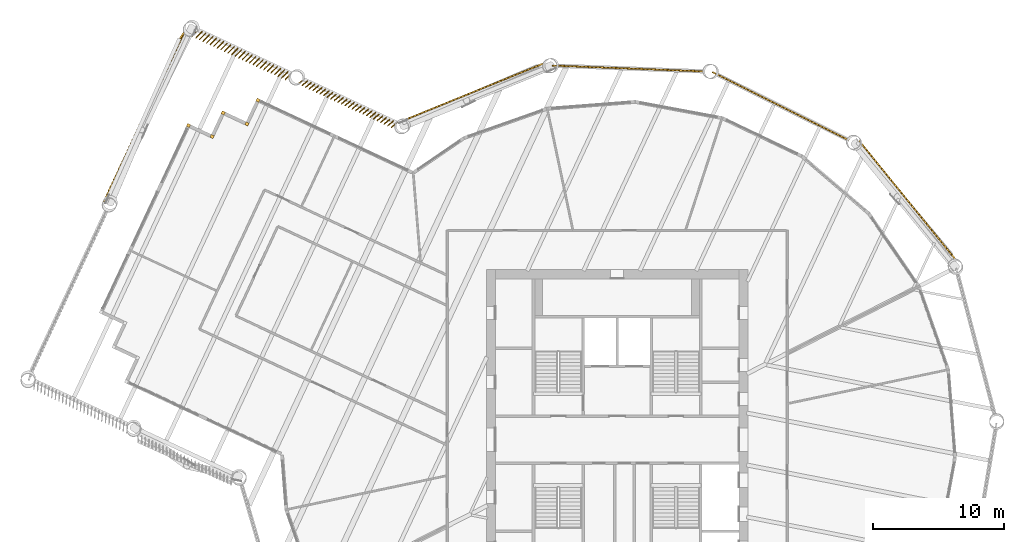
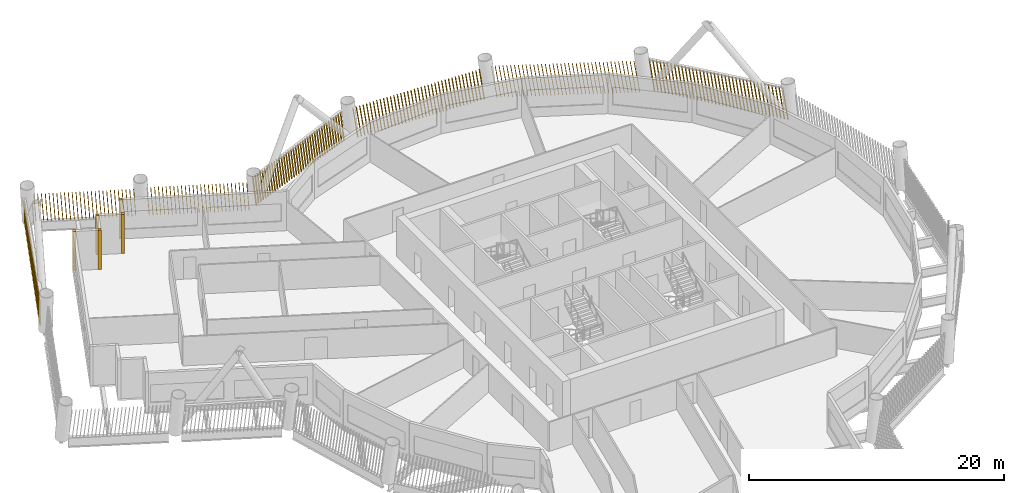
# One storey, part 23 of 24: 12 shading devices.
"""IFC4 building model written with IfcOpenShell, lengths in metres."""

import ifcopenshell
import ifcopenshell.guid

model = None  # the IFC model being written
_history = None  # IfcOwnerHistory: only IFC2X3 demands one
_inside = {}  # id of a spatial element -> (the spatial element, [elements in it])
_under = {}  # id of a project, library or spatial element -> (it, [spatial elements below it])
_declared = {}  # id of a project -> (the project, [libraries it declares])
_typed = {}  # id of a type object -> (the type object, [elements of that type])
_made_of = {}  # id of a material, layer set ... -> (it, [elements and type objects made of it])


def new_model(schema):
    """Start an empty IFC model of exactly this schema.

    Asked for "IFC4X3", IfcOpenShell would pick the latest addendum, in which some entities
    have other attributes; the version numbers below select the first issue.
    IFC2X3 requires an IfcOwnerHistory on every rooted entity: one is made here for all.
    """
    global model, _history
    if schema == "IFC4X3":
        model = ifcopenshell.file(schema_version=(4, 3, 0, 0))
    else:
        model = ifcopenshell.file(schema=schema)
    _inside.clear()
    _under.clear()
    _declared.clear()
    _typed.clear()
    _made_of.clear()
    _history = None
    if model.schema == "IFC2X3":
        org = make("IfcOrganization", Name="unknown")
        user = make(
            "IfcPersonAndOrganization",
            ThePerson=make("IfcPerson", FamilyName="unknown"),
            TheOrganization=org,
        )
        app = make(
            "IfcApplication",
            ApplicationDeveloper=org,
            Version="unknown",
            ApplicationFullName="unknown",
            ApplicationIdentifier="unknown",
        )
        _history = make(
            "IfcOwnerHistory",
            OwningUser=user,
            OwningApplication=app,
            ChangeAction="ADDED",
            CreationDate=0,
        )
    return model


def make(cls, **values):
    """One entity of the class cls with the attributes given. An attribute that is None is left unset."""
    return model.create_entity(
        cls, **{name: value for name, value in values.items() if value is not None}
    )


def rooted(cls, **values):
    """An entity with a GlobalId (a new one), such as an element, a storey or a relation."""
    return make(cls, GlobalId=ifcopenshell.guid.new(), OwnerHistory=_history, **values)


def si_unit(unit_type, name, prefix=None):
    """IfcSIUnit, for example si_unit("LENGTHUNIT", "METRE", prefix="MILLI")."""
    return make("IfcSIUnit", UnitType=unit_type, Prefix=prefix, Name=name)


def assignment(units):
    """IfcUnitAssignment: the units of a project."""
    return None if units is None else make("IfcUnitAssignment", Units=units)


def point(xyz):
    """IfcCartesianPoint."""
    return None if xyz is None else make("IfcCartesianPoint", Coordinates=xyz)


def direction(xyz):
    """IfcDirection."""
    return None if xyz is None else make("IfcDirection", DirectionRatios=xyz)


def frame(location, z_axis=None, x_axis=None):
    """IfcAxis2Placement3D, a coordinate frame: its origin and axes. An axis left out is left unset."""
    return make(
        "IfcAxis2Placement3D",
        Location=point(location),
        Axis=direction(z_axis),
        RefDirection=direction(x_axis),
    )


def frame_2d(location, x_axis=None):
    """IfcAxis2Placement2D, a coordinate frame in the plane: its origin and x axis."""
    return make(
        "IfcAxis2Placement2D", Location=point(location), RefDirection=direction(x_axis)
    )


def origin():
    """The frame at (0, 0, 0) with its axes left unset."""
    return frame((0.0, 0.0, 0.0))


def origin_2d():
    """The frame at (0, 0) in the plane with its x axis left unset."""
    return frame_2d((0.0, 0.0))


def place(relative_to, where):
    """IfcLocalPlacement: puts the frame where relative to a parent placement (None: the world)."""
    return make(
        "IfcLocalPlacement", PlacementRelTo=relative_to, RelativePlacement=where
    )


def context(
    kind, dimensions, precision=None, world=None, true_north=None, identifier=None
):
    """IfcGeometricRepresentationContext, for example the 3D "Model" context."""
    return make(
        "IfcGeometricRepresentationContext",
        ContextIdentifier=identifier,
        ContextType=kind,
        CoordinateSpaceDimension=dimensions,
        Precision=precision,
        WorldCoordinateSystem=world,
        TrueNorth=true_north,
    )


def subcontext(parent, identifier, kind, view, scale=None):
    """IfcGeometricRepresentationSubContext, for example "Body" below "Model"."""
    return make(
        "IfcGeometricRepresentationSubContext",
        ContextIdentifier=identifier,
        ContextType=kind,
        ParentContext=parent,
        TargetScale=scale,
        TargetView=view,
    )


def project(units=None, contexts=None):
    """IfcProject with its units and contexts."""
    return rooted(
        "IfcProject",
        Name="project",
        RepresentationContexts=contexts,
        UnitsInContext=assignment(units),
    )


def spatial(cls, under=None, at=None, **own):
    """A site, building, storey or space (cls), placed at a placement, below another one or the project."""
    s = rooted(cls, ObjectPlacement=at, **own)
    if under is not None:
        _under.setdefault(under.id(), (under, []))[1].append(s)
    return s


def profile(cls, at=None, kind="AREA", **sizes):
    """A parametric profile (cls). Its sizes go by their IFC names, for example OverallWidth=200.0."""
    return make(cls, ProfileType=kind, Position=at, **sizes)


def rectangle(**sizes):
    """IfcRectangleProfileDef."""
    return profile("IfcRectangleProfileDef", **sizes)


def composite_profile(profiles, kind="AREA"):
    """IfcCompositeProfileDef: several profiles as one."""
    return make("IfcCompositeProfileDef", ProfileType=kind, Profiles=profiles)


def extrude(swept, where, along, depth):
    """IfcExtrudedAreaSolid: the profile swept, set in the frame where, extruded along a direction by depth."""
    return make(
        "IfcExtrudedAreaSolid",
        SweptArea=swept,
        Position=where,
        ExtrudedDirection=direction(along),
        Depth=depth,
    )


def shape(context_of_items, identifier, shape_type, items):
    """IfcShapeRepresentation: the items that make up one representation, for example the "Body"."""
    return make(
        "IfcShapeRepresentation",
        ContextOfItems=context_of_items,
        RepresentationIdentifier=identifier,
        RepresentationType=shape_type,
        Items=items,
    )


def material(Name=None, Category=None):
    """IfcMaterial."""
    return make("IfcMaterial", Name=Name, Category=Category)


def made_of(thing, what):
    """Note that an element or type object is made of a material, layer set ...; save() writes the relation."""
    if what is not None:
        _made_of.setdefault(what.id(), (what, []))[1].append(thing)
    return thing


def type_object(cls, material=None, **own):
    """A type object (cls), such as IfcWallType, which elements share."""
    return made_of(rooted(cls, **own), material)


def element(
    cls,
    number,
    at=None,
    inside=None,
    cuts=None,
    type_object=None,
    material=None,
    context=None,
    identifier="Body",
    shape_type=None,
    held_by="IfcProductDefinitionShape",
    body=None,
    shapes=None,
    **own,
):
    """One element of the class cls, such as IfcWall. Its Tag is "e" and its number.

    at: its placement. inside: the storey or other place that contains it. cuts: it is an
    opening in that element (IfcRelVoidsElement). A single representation is given by context,
    identifier, shape_type and body (its items); several are given by shapes. held_by: the class
    of the entity that holds the representations. save() writes the other relations.
    """
    e = rooted(cls, Tag="e%d" % number, ObjectPlacement=at, **own)
    if body is not None:
        shapes = [shape(context, identifier, shape_type, body)]
    if shapes is not None:
        e.Representation = make(held_by, Representations=shapes)
    if inside is not None:
        _inside.setdefault(inside.id(), (inside, []))[1].append(e)
    if cuts is not None:
        rooted(
            "IfcRelVoidsElement", RelatingBuildingElement=cuts, RelatedOpeningElement=e
        )
    if type_object is not None:
        _typed.setdefault(type_object.id(), (type_object, []))[1].append(e)
    return made_of(e, material)


def aggregate(whole, parts):
    """IfcRelAggregates: a whole, such as a stair, and the parts it consists of."""
    return rooted("IfcRelAggregates", RelatingObject=whole, RelatedObjects=parts)


def save(model, path):
    """Write the relations noted so far, then the file.

    IfcRelAggregates (storeys below a building ...), IfcRelContainedInSpatialStructure (elements
    in a storey), IfcRelDefinesByType, IfcRelAssociatesMaterial and IfcRelDeclares: one each for
    every whole, place, type object, material and project.
    """
    for whole, parts in _under.values():
        aggregate(whole, parts)
    for where, things in _inside.values():
        rooted(
            "IfcRelContainedInSpatialStructure",
            RelatedElements=things,
            RelatingStructure=where,
        )
    for kind, things in _typed.values():
        rooted("IfcRelDefinesByType", RelatedObjects=things, RelatingType=kind)
    for what, things in _made_of.values():
        rooted("IfcRelAssociatesMaterial", RelatedObjects=things, RelatingMaterial=what)
    for by, libraries in _declared.values():
        rooted("IfcRelDeclares", RelatingContext=by, RelatedDefinitions=libraries)
    model.write(path)


model = new_model("IFC4")

# Units and contexts
model_context = context("Model", 3, precision=1e-05, world=origin(), true_north=direction((0.0, 1.0)))
body_context = subcontext(model_context, "Body", "Model", "MODEL_VIEW")
ifc_project = project(units=[si_unit("LENGTHUNIT", "METRE"), si_unit("AREAUNIT", "SQUARE_METRE"), si_unit("VOLUMEUNIT", "CUBIC_METRE"), si_unit("PLANEANGLEUNIT", "RADIAN"), si_unit("MASSUNIT", "GRAM", prefix="KILO")], contexts=[model_context])

# Site, building, storey
site_placement = place(None, origin())
site = spatial("IfcSite", under=ifc_project, at=site_placement, CompositionType="ELEMENT")
building_placement = place(site_placement, origin())
building = spatial("IfcBuilding", under=site, at=building_placement, Name="Tarsis Ring Headquarters", CompositionType="ELEMENT")
storey_placement = place(building_placement, frame((0.0, 0.0, 178.800048828125)))
storey = spatial("IfcBuildingStorey", under=building, at=storey_placement, Name="L41", CompositionType="ELEMENT", Elevation=178.800048828125)

# Shading devices
ifc_material = material(Name="Terracotta baguette", Category="masonry")
shading_device_type_1 = type_object("IfcShadingDeviceType", Name="Terracotta baguette screen", PredefinedType="USERDEFINED", material=ifc_material)
shading_device_1_placement = place(storey_placement, frame((25.871826171875, 13.78515625, 0.0), z_axis=(0.0, 0.0, 1.0), x_axis=(-0.630827328761, 0.775913707787, 0.0)))
element("IfcShadingDevice", 1, at=shading_device_1_placement, inside=storey, type_object=shading_device_type_1, Name="Baguette screen L41-11", ObjectType="Terracotta baguette screen", PredefinedType="USERDEFINED", context=body_context, shape_type="SweptSolid", body=[
    extrude(composite_profile([rectangle(XDim=0.06005859375, YDim=0.1201171875, at=frame_2d((0.030029296875, 0.0))), rectangle(XDim=0.06005859375, YDim=0.1201171875, at=frame_2d((0.33251953125, 0.0))), rectangle(XDim=0.06005859375, YDim=0.1201171875, at=frame_2d((0.634765625, 0.0))), rectangle(XDim=0.06005859375, YDim=0.1201171875, at=frame_2d((0.937255859375, 0.0))), rectangle(XDim=0.06005859375, YDim=0.1201171875, at=frame_2d((1.239501953125, 0.0))), rectangle(XDim=0.06005859375, YDim=0.1201171875, at=frame_2d((1.5419921875, 0.0))), rectangle(XDim=0.06005859375, YDim=0.1201171875, at=frame_2d((1.844482421875, 0.0))), rectangle(XDim=0.06005859375, YDim=0.1201171875, at=frame_2d((2.146728515625, 0.0))), rectangle(XDim=0.06005859375, YDim=0.1201171875, at=frame_2d((2.44921875, 0.0))), rectangle(XDim=0.06005859375, YDim=0.1201171875, at=frame_2d((2.751708984375, 0.0))), rectangle(XDim=0.06005859375, YDim=0.1201171875, at=frame_2d((3.053955078125, 0.0))), rectangle(XDim=0.06005859375, YDim=0.1201171875, at=frame_2d((3.3564453125, 0.0))), rectangle(XDim=0.06005859375, YDim=0.1201171875, at=frame_2d((3.65869140625, 0.0))), rectangle(XDim=0.06005859375, YDim=0.1201171875, at=frame_2d((3.961181640625, 0.0))), rectangle(XDim=0.06005859375, YDim=0.1201171875, at=frame_2d((4.263671875, 0.0))), rectangle(XDim=0.06005859375, YDim=0.1201171875, at=frame_2d((4.56591796875, 0.0))), rectangle(XDim=0.06005859375, YDim=0.1201171875, at=frame_2d((4.868408203125, 0.0))), rectangle(XDim=0.06005859375, YDim=0.1201171875, at=frame_2d((5.1708984375, 0.0))), rectangle(XDim=0.06005859375, YDim=0.1201171875, at=frame_2d((5.47314453125, 0.0))), rectangle(XDim=0.06005859375, YDim=0.1201171875, at=frame_2d((5.775634765625, 0.0))), rectangle(XDim=0.06005859375, YDim=0.1201171875, at=frame_2d((6.077880859375, 0.0))), rectangle(XDim=0.06005859375, YDim=0.1201171875, at=frame_2d((6.38037109375, 0.0))), rectangle(XDim=0.06005859375, YDim=0.1201171875, at=frame_2d((6.682861328125, 0.0))), rectangle(XDim=0.06005859375, YDim=0.1201171875, at=frame_2d((6.985107421875, 0.0))), rectangle(XDim=0.06005859375, YDim=0.1201171875, at=frame_2d((7.28759765625, 0.0))), rectangle(XDim=0.06005859375, YDim=0.1201171875, at=frame_2d((7.590087890625, 0.0))), rectangle(XDim=0.06005859375, YDim=0.1201171875, at=frame_2d((7.892333984375, 0.0))), rectangle(XDim=0.06005859375, YDim=0.1201171875, at=frame_2d((8.19482421875, 0.0))), rectangle(XDim=0.06005859375, YDim=0.1201171875, at=frame_2d((8.4970703125, 0.0))), rectangle(XDim=0.06005859375, YDim=0.1201171875, at=frame_2d((8.799560546875, 0.0))), rectangle(XDim=0.06005859375, YDim=0.1201171875, at=frame_2d((9.10205078125, 0.0))), rectangle(XDim=0.06005859375, YDim=0.1201171875, at=frame_2d((9.404296875, 0.0))), rectangle(XDim=0.06005859375, YDim=0.1201171875, at=frame_2d((9.706787109375, 0.0))), rectangle(XDim=0.06005859375, YDim=0.1201171875, at=frame_2d((10.00927734375, 0.0))), rectangle(XDim=0.06005859375, YDim=0.1201171875, at=frame_2d((10.3115234375, 0.0))), rectangle(XDim=0.06005859375, YDim=0.1201171875, at=frame_2d((10.614013671875, 0.0))), rectangle(XDim=0.06005859375, YDim=0.1201171875, at=frame_2d((10.916259765625, 0.0))), rectangle(XDim=0.06005859375, YDim=0.1201171875, at=frame_2d((11.21875, 0.0)))]), origin(), (0.151424036468, 0.001188388079, 0.988468183056), 2.984375),
])
shading_device_2_placement = place(storey_placement, frame((17.721923828125, 22.88818359375, 0.0), z_axis=(0.0, 0.0, 1.0), x_axis=(-0.894563212154, 0.446923494303, 0.0)))
element("IfcShadingDevice", 2, at=shading_device_2_placement, inside=storey, type_object=shading_device_type_1, Name="Baguette screen L41-12", ObjectType="Terracotta baguette screen", PredefinedType="USERDEFINED", context=body_context, shape_type="SweptSolid", body=[
    extrude(composite_profile([rectangle(XDim=0.06005859375, YDim=0.1201171875, at=frame_2d((0.030029296875, 0.0))), rectangle(XDim=0.06005859375, YDim=0.1201171875, at=frame_2d((0.33251953125, 0.0))), rectangle(XDim=0.06005859375, YDim=0.1201171875, at=frame_2d((0.634765625, 0.0))), rectangle(XDim=0.06005859375, YDim=0.1201171875, at=frame_2d((0.937255859375, 0.0))), rectangle(XDim=0.06005859375, YDim=0.1201171875, at=frame_2d((1.239501953125, 0.0))), rectangle(XDim=0.06005859375, YDim=0.1201171875, at=frame_2d((1.5419921875, 0.0))), rectangle(XDim=0.06005859375, YDim=0.1201171875, at=frame_2d((1.844482421875, 0.0))), rectangle(XDim=0.06005859375, YDim=0.1201171875, at=frame_2d((2.146728515625, 0.0))), rectangle(XDim=0.06005859375, YDim=0.1201171875, at=frame_2d((2.44921875, 0.0))), rectangle(XDim=0.06005859375, YDim=0.1201171875, at=frame_2d((2.751708984375, 0.0))), rectangle(XDim=0.06005859375, YDim=0.1201171875, at=frame_2d((3.053955078125, 0.0))), rectangle(XDim=0.06005859375, YDim=0.1201171875, at=frame_2d((3.3564453125, 0.0))), rectangle(XDim=0.06005859375, YDim=0.1201171875, at=frame_2d((3.65869140625, 0.0))), rectangle(XDim=0.06005859375, YDim=0.1201171875, at=frame_2d((3.961181640625, 0.0))), rectangle(XDim=0.06005859375, YDim=0.1201171875, at=frame_2d((4.263671875, 0.0))), rectangle(XDim=0.06005859375, YDim=0.1201171875, at=frame_2d((4.56591796875, 0.0))), rectangle(XDim=0.06005859375, YDim=0.1201171875, at=frame_2d((4.868408203125, 0.0))), rectangle(XDim=0.06005859375, YDim=0.1201171875, at=frame_2d((5.1708984375, 0.0))), rectangle(XDim=0.06005859375, YDim=0.1201171875, at=frame_2d((5.47314453125, 0.0))), rectangle(XDim=0.06005859375, YDim=0.1201171875, at=frame_2d((5.775634765625, 0.0))), rectangle(XDim=0.06005859375, YDim=0.1201171875, at=frame_2d((6.077880859375, 0.0))), rectangle(XDim=0.06005859375, YDim=0.1201171875, at=frame_2d((6.38037109375, 0.0))), rectangle(XDim=0.06005859375, YDim=0.1201171875, at=frame_2d((6.682861328125, 0.0))), rectangle(XDim=0.06005859375, YDim=0.1201171875, at=frame_2d((6.985107421875, 0.0))), rectangle(XDim=0.06005859375, YDim=0.1201171875, at=frame_2d((7.28759765625, 0.0))), rectangle(XDim=0.06005859375, YDim=0.1201171875, at=frame_2d((7.590087890625, 0.0))), rectangle(XDim=0.06005859375, YDim=0.1201171875, at=frame_2d((7.892333984375, 0.0))), rectangle(XDim=0.06005859375, YDim=0.1201171875, at=frame_2d((8.19482421875, 0.0))), rectangle(XDim=0.06005859375, YDim=0.1201171875, at=frame_2d((8.4970703125, 0.0))), rectangle(XDim=0.06005859375, YDim=0.1201171875, at=frame_2d((8.799560546875, 0.0))), rectangle(XDim=0.06005859375, YDim=0.1201171875, at=frame_2d((9.10205078125, 0.0))), rectangle(XDim=0.06005859375, YDim=0.1201171875, at=frame_2d((9.404296875, 0.0))), rectangle(XDim=0.06005859375, YDim=0.1201171875, at=frame_2d((9.706787109375, 0.0))), rectangle(XDim=0.06005859375, YDim=0.1201171875, at=frame_2d((10.00927734375, 0.0))), rectangle(XDim=0.06005859375, YDim=0.1201171875, at=frame_2d((10.3115234375, 0.0))), rectangle(XDim=0.06005859375, YDim=0.1201171875, at=frame_2d((10.614013671875, 0.0))), rectangle(XDim=0.06005859375, YDim=0.1201171875, at=frame_2d((10.916259765625, 0.0))), rectangle(XDim=0.06005859375, YDim=0.1201171875, at=frame_2d((11.21875, 0.0)))]), origin(), (0.149494835504, 0.001175262387, 0.988761807978), 2.9833984375),
])
shading_device_3_placement = place(storey_placement, frame((6.712158203125, 28.158203125, 0.0), z_axis=(0.0, 0.0, 1.0), x_axis=(-0.999262072708, 0.038459034183, 0.0)))
element("IfcShadingDevice", 3, at=shading_device_3_placement, inside=storey, type_object=shading_device_type_1, Name="Baguette screen L41-13", ObjectType="Terracotta baguette screen", PredefinedType="USERDEFINED", context=body_context, shape_type="SweptSolid", body=[
    extrude(composite_profile([rectangle(XDim=0.06005859375, YDim=0.1201171875, at=frame_2d((0.030029296875, 0.0))), rectangle(XDim=0.06005859375, YDim=0.1201171875, at=frame_2d((0.33251953125, 0.0))), rectangle(XDim=0.06005859375, YDim=0.1201171875, at=frame_2d((0.634765625, 0.0))), rectangle(XDim=0.06005859375, YDim=0.1201171875, at=frame_2d((0.937255859375, 0.0))), rectangle(XDim=0.06005859375, YDim=0.1201171875, at=frame_2d((1.239501953125, 0.0))), rectangle(XDim=0.06005859375, YDim=0.1201171875, at=frame_2d((1.5419921875, 0.0))), rectangle(XDim=0.06005859375, YDim=0.1201171875, at=frame_2d((1.844482421875, 0.0))), rectangle(XDim=0.06005859375, YDim=0.1201171875, at=frame_2d((2.146728515625, 0.0))), rectangle(XDim=0.06005859375, YDim=0.1201171875, at=frame_2d((2.44921875, 0.0))), rectangle(XDim=0.06005859375, YDim=0.1201171875, at=frame_2d((2.751708984375, 0.0))), rectangle(XDim=0.06005859375, YDim=0.1201171875, at=frame_2d((3.053955078125, 0.0))), rectangle(XDim=0.06005859375, YDim=0.1201171875, at=frame_2d((3.3564453125, 0.0))), rectangle(XDim=0.06005859375, YDim=0.1201171875, at=frame_2d((3.65869140625, 0.0))), rectangle(XDim=0.06005859375, YDim=0.1201171875, at=frame_2d((3.961181640625, 0.0))), rectangle(XDim=0.06005859375, YDim=0.1201171875, at=frame_2d((4.263671875, 0.0))), rectangle(XDim=0.06005859375, YDim=0.1201171875, at=frame_2d((4.56591796875, 0.0))), rectangle(XDim=0.06005859375, YDim=0.1201171875, at=frame_2d((4.868408203125, 0.0))), rectangle(XDim=0.06005859375, YDim=0.1201171875, at=frame_2d((5.1708984375, 0.0))), rectangle(XDim=0.06005859375, YDim=0.1201171875, at=frame_2d((5.47314453125, 0.0))), rectangle(XDim=0.06005859375, YDim=0.1201171875, at=frame_2d((5.775634765625, 0.0))), rectangle(XDim=0.06005859375, YDim=0.1201171875, at=frame_2d((6.077880859375, 0.0))), rectangle(XDim=0.06005859375, YDim=0.1201171875, at=frame_2d((6.38037109375, 0.0))), rectangle(XDim=0.06005859375, YDim=0.1201171875, at=frame_2d((6.682861328125, 0.0))), rectangle(XDim=0.06005859375, YDim=0.1201171875, at=frame_2d((6.985107421875, 0.0))), rectangle(XDim=0.06005859375, YDim=0.1201171875, at=frame_2d((7.28759765625, 0.0))), rectangle(XDim=0.06005859375, YDim=0.1201171875, at=frame_2d((7.590087890625, 0.0))), rectangle(XDim=0.06005859375, YDim=0.1201171875, at=frame_2d((7.892333984375, 0.0))), rectangle(XDim=0.06005859375, YDim=0.1201171875, at=frame_2d((8.19482421875, 0.0))), rectangle(XDim=0.06005859375, YDim=0.1201171875, at=frame_2d((8.4970703125, 0.0))), rectangle(XDim=0.06005859375, YDim=0.1201171875, at=frame_2d((8.799560546875, 0.0))), rectangle(XDim=0.06005859375, YDim=0.1201171875, at=frame_2d((9.10205078125, 0.0))), rectangle(XDim=0.06005859375, YDim=0.1201171875, at=frame_2d((9.404296875, 0.0))), rectangle(XDim=0.06005859375, YDim=0.1201171875, at=frame_2d((9.706787109375, 0.0))), rectangle(XDim=0.06005859375, YDim=0.1201171875, at=frame_2d((10.00927734375, 0.0))), rectangle(XDim=0.06005859375, YDim=0.1201171875, at=frame_2d((10.3115234375, 0.0))), rectangle(XDim=0.06005859375, YDim=0.1201171875, at=frame_2d((10.614013671875, 0.0))), rectangle(XDim=0.06005859375, YDim=0.1201171875, at=frame_2d((10.916259765625, 0.0))), rectangle(XDim=0.06005859375, YDim=0.1201171875, at=frame_2d((11.21875, 0.0)))]), origin(), (0.149496183952, 0.001175135704, 0.98876160425), 2.9833984375),
])
shading_device_4_placement = place(storey_placement, frame((-5.63232421875, 28.76904296875, 0.0), z_axis=(0.0, 0.0, 1.0), x_axis=(-0.926273982117, -0.376855629829, 0.0)))
element("IfcShadingDevice", 4, at=shading_device_4_placement, inside=storey, type_object=shading_device_type_1, Name="Baguette screen L41-14", ObjectType="Terracotta baguette screen", PredefinedType="USERDEFINED", context=body_context, shape_type="SweptSolid", body=[
    extrude(composite_profile([rectangle(XDim=0.06005859375, YDim=0.1201171875, at=frame_2d((0.030029296875, 0.0))), rectangle(XDim=0.06005859375, YDim=0.1201171875, at=frame_2d((0.33251953125, 0.0))), rectangle(XDim=0.06005859375, YDim=0.1201171875, at=frame_2d((0.634765625, 0.0))), rectangle(XDim=0.06005859375, YDim=0.1201171875, at=frame_2d((0.937255859375, 0.0))), rectangle(XDim=0.06005859375, YDim=0.1201171875, at=frame_2d((1.239501953125, 0.0))), rectangle(XDim=0.06005859375, YDim=0.1201171875, at=frame_2d((1.5419921875, 0.0))), rectangle(XDim=0.06005859375, YDim=0.1201171875, at=frame_2d((1.844482421875, 0.0))), rectangle(XDim=0.06005859375, YDim=0.1201171875, at=frame_2d((2.146728515625, 0.0))), rectangle(XDim=0.06005859375, YDim=0.1201171875, at=frame_2d((2.44921875, 0.0))), rectangle(XDim=0.06005859375, YDim=0.1201171875, at=frame_2d((2.751708984375, 0.0))), rectangle(XDim=0.06005859375, YDim=0.1201171875, at=frame_2d((3.053955078125, 0.0))), rectangle(XDim=0.06005859375, YDim=0.1201171875, at=frame_2d((3.3564453125, 0.0))), rectangle(XDim=0.06005859375, YDim=0.1201171875, at=frame_2d((3.65869140625, 0.0))), rectangle(XDim=0.06005859375, YDim=0.1201171875, at=frame_2d((3.961181640625, 0.0))), rectangle(XDim=0.06005859375, YDim=0.1201171875, at=frame_2d((4.263671875, 0.0))), rectangle(XDim=0.06005859375, YDim=0.1201171875, at=frame_2d((4.56591796875, 0.0))), rectangle(XDim=0.06005859375, YDim=0.1201171875, at=frame_2d((4.868408203125, 0.0))), rectangle(XDim=0.06005859375, YDim=0.1201171875, at=frame_2d((5.1708984375, 0.0))), rectangle(XDim=0.06005859375, YDim=0.1201171875, at=frame_2d((5.47314453125, 0.0))), rectangle(XDim=0.06005859375, YDim=0.1201171875, at=frame_2d((5.775634765625, 0.0))), rectangle(XDim=0.06005859375, YDim=0.1201171875, at=frame_2d((6.077880859375, 0.0))), rectangle(XDim=0.06005859375, YDim=0.1201171875, at=frame_2d((6.38037109375, 0.0))), rectangle(XDim=0.06005859375, YDim=0.1201171875, at=frame_2d((6.682861328125, 0.0))), rectangle(XDim=0.06005859375, YDim=0.1201171875, at=frame_2d((6.985107421875, 0.0))), rectangle(XDim=0.06005859375, YDim=0.1201171875, at=frame_2d((7.28759765625, 0.0))), rectangle(XDim=0.06005859375, YDim=0.1201171875, at=frame_2d((7.590087890625, 0.0))), rectangle(XDim=0.06005859375, YDim=0.1201171875, at=frame_2d((7.892333984375, 0.0))), rectangle(XDim=0.06005859375, YDim=0.1201171875, at=frame_2d((8.19482421875, 0.0))), rectangle(XDim=0.06005859375, YDim=0.1201171875, at=frame_2d((8.4970703125, 0.0))), rectangle(XDim=0.06005859375, YDim=0.1201171875, at=frame_2d((8.799560546875, 0.0))), rectangle(XDim=0.06005859375, YDim=0.1201171875, at=frame_2d((9.10205078125, 0.0))), rectangle(XDim=0.06005859375, YDim=0.1201171875, at=frame_2d((9.404296875, 0.0))), rectangle(XDim=0.06005859375, YDim=0.1201171875, at=frame_2d((9.706787109375, 0.0))), rectangle(XDim=0.06005859375, YDim=0.1201171875, at=frame_2d((10.00927734375, 0.0))), rectangle(XDim=0.06005859375, YDim=0.1201171875, at=frame_2d((10.3115234375, 0.0))), rectangle(XDim=0.06005859375, YDim=0.1201171875, at=frame_2d((10.614013671875, 0.0))), rectangle(XDim=0.06005859375, YDim=0.1201171875, at=frame_2d((10.916259765625, 0.0))), rectangle(XDim=0.06005859375, YDim=0.1201171875, at=frame_2d((11.21875, 0.0)))]), origin(), (0.15142570473, 0.001188654564, 0.988467927172), 2.984375),
])
shading_device_5_placement = place(storey_placement, frame((-16.82666015625, 24.205810546875, 0.0), z_axis=(0.0, 0.0, 1.0), x_axis=(-0.905863816115, 0.423566485418, 0.0)))
element("IfcShadingDevice", 5, at=shading_device_5_placement, inside=storey, type_object=shading_device_type_1, Name="Baguette screen L41-15", ObjectType="Terracotta baguette screen", PredefinedType="USERDEFINED", context=body_context, shape_type="SweptSolid", body=[
    extrude(composite_profile([rectangle(XDim=0.06005859375, YDim=0.1201171875, at=frame_2d((0.030029296875, 0.0))), rectangle(XDim=0.06005859375, YDim=0.1201171875, at=frame_2d((0.33154296875, 0.0))), rectangle(XDim=0.06005859375, YDim=0.1201171875, at=frame_2d((0.63330078125, 0.0))), rectangle(XDim=0.06005859375, YDim=0.1201171875, at=frame_2d((0.934814453125, 0.0))), rectangle(XDim=0.06005859375, YDim=0.1201171875, at=frame_2d((1.236572265625, 0.0))), rectangle(XDim=0.06005859375, YDim=0.1201171875, at=frame_2d((1.5380859375, 0.0))), rectangle(XDim=0.06005859375, YDim=0.1201171875, at=frame_2d((1.83984375, 0.0))), rectangle(XDim=0.06005859375, YDim=0.1201171875, at=frame_2d((2.141357421875, 0.0))), rectangle(XDim=0.06005859375, YDim=0.1201171875, at=frame_2d((2.443115234375, 0.0))), rectangle(XDim=0.06005859375, YDim=0.1201171875, at=frame_2d((2.74462890625, 0.0))), rectangle(XDim=0.06005859375, YDim=0.1201171875, at=frame_2d((3.04638671875, 0.0))), rectangle(XDim=0.06005859375, YDim=0.1201171875, at=frame_2d((3.347900390625, 0.0))), rectangle(XDim=0.06005859375, YDim=0.1201171875, at=frame_2d((3.649658203125, 0.0))), rectangle(XDim=0.06005859375, YDim=0.1201171875, at=frame_2d((3.951171875, 0.0))), rectangle(XDim=0.06005859375, YDim=0.1201171875, at=frame_2d((4.252685546875, 0.0))), rectangle(XDim=0.06005859375, YDim=0.1201171875, at=frame_2d((4.554443359375, 0.0))), rectangle(XDim=0.06005859375, YDim=0.1201171875, at=frame_2d((4.85595703125, 0.0))), rectangle(XDim=0.06005859375, YDim=0.1201171875, at=frame_2d((5.15771484375, 0.0))), rectangle(XDim=0.06005859375, YDim=0.1201171875, at=frame_2d((5.459228515625, 0.0))), rectangle(XDim=0.06005859375, YDim=0.1201171875, at=frame_2d((5.760986328125, 0.0))), rectangle(XDim=0.06005859375, YDim=0.1201171875, at=frame_2d((6.0625, 0.0))), rectangle(XDim=0.06005859375, YDim=0.1201171875, at=frame_2d((6.3642578125, 0.0))), rectangle(XDim=0.06005859375, YDim=0.1201171875, at=frame_2d((6.665771484375, 0.0))), rectangle(XDim=0.06005859375, YDim=0.1201171875, at=frame_2d((6.967529296875, 0.0))), rectangle(XDim=0.06005859375, YDim=0.1201171875, at=frame_2d((7.26904296875, 0.0))), rectangle(XDim=0.06005859375, YDim=0.1201171875, at=frame_2d((7.57080078125, 0.0))), rectangle(XDim=0.06005859375, YDim=0.1201171875, at=frame_2d((7.872314453125, 0.0)))]), origin(), (0.076405112136, 0.155041137251, 0.984948985785), 2.9951171875),
])
shading_device_6_placement = place(storey_placement, frame((-24.890869140625, 27.9765625, 0.0), z_axis=(0.0, 0.0, 1.0), x_axis=(-0.905863816115, 0.423566485418, 0.0)))
element("IfcShadingDevice", 6, at=shading_device_6_placement, inside=storey, type_object=shading_device_type_1, Name="Baguette screen L41-16", ObjectType="Terracotta baguette screen", PredefinedType="USERDEFINED", context=body_context, shape_type="SweptSolid", body=[
    extrude(composite_profile([rectangle(XDim=0.06005859375, YDim=0.1201171875, at=frame_2d((0.030029296875, 0.0))), rectangle(XDim=0.06005859375, YDim=0.1201171875, at=frame_2d((0.33154296875, 0.0))), rectangle(XDim=0.06005859375, YDim=0.1201171875, at=frame_2d((0.63330078125, 0.0))), rectangle(XDim=0.06005859375, YDim=0.1201171875, at=frame_2d((0.934814453125, 0.0))), rectangle(XDim=0.06005859375, YDim=0.1201171875, at=frame_2d((1.236572265625, 0.0))), rectangle(XDim=0.06005859375, YDim=0.1201171875, at=frame_2d((1.5380859375, 0.0))), rectangle(XDim=0.06005859375, YDim=0.1201171875, at=frame_2d((1.83984375, 0.0))), rectangle(XDim=0.06005859375, YDim=0.1201171875, at=frame_2d((2.141357421875, 0.0))), rectangle(XDim=0.06005859375, YDim=0.1201171875, at=frame_2d((2.443115234375, 0.0))), rectangle(XDim=0.06005859375, YDim=0.1201171875, at=frame_2d((2.74462890625, 0.0))), rectangle(XDim=0.06005859375, YDim=0.1201171875, at=frame_2d((3.04638671875, 0.0))), rectangle(XDim=0.06005859375, YDim=0.1201171875, at=frame_2d((3.347900390625, 0.0))), rectangle(XDim=0.06005859375, YDim=0.1201171875, at=frame_2d((3.649658203125, 0.0))), rectangle(XDim=0.06005859375, YDim=0.1201171875, at=frame_2d((3.951171875, 0.0))), rectangle(XDim=0.06005859375, YDim=0.1201171875, at=frame_2d((4.252685546875, 0.0))), rectangle(XDim=0.06005859375, YDim=0.1201171875, at=frame_2d((4.554443359375, 0.0))), rectangle(XDim=0.06005859375, YDim=0.1201171875, at=frame_2d((4.85595703125, 0.0))), rectangle(XDim=0.06005859375, YDim=0.1201171875, at=frame_2d((5.15771484375, 0.0))), rectangle(XDim=0.06005859375, YDim=0.1201171875, at=frame_2d((5.459228515625, 0.0))), rectangle(XDim=0.06005859375, YDim=0.1201171875, at=frame_2d((5.760986328125, 0.0))), rectangle(XDim=0.06005859375, YDim=0.1201171875, at=frame_2d((6.0625, 0.0))), rectangle(XDim=0.06005859375, YDim=0.1201171875, at=frame_2d((6.3642578125, 0.0))), rectangle(XDim=0.06005859375, YDim=0.1201171875, at=frame_2d((6.665771484375, 0.0))), rectangle(XDim=0.06005859375, YDim=0.1201171875, at=frame_2d((6.967529296875, 0.0))), rectangle(XDim=0.06005859375, YDim=0.1201171875, at=frame_2d((7.26904296875, 0.0))), rectangle(XDim=0.06005859375, YDim=0.1201171875, at=frame_2d((7.57080078125, 0.0))), rectangle(XDim=0.06005859375, YDim=0.1201171875, at=frame_2d((7.872314453125, 0.0)))]), origin(), (0.075415067856, 0.200074866843, 0.976873899333), 3.019775390625),
])
shading_device_7_placement = place(storey_placement, frame((-33.0537109375, 31.241455078125, 0.0), z_axis=(0.0, 0.0, 1.0), x_axis=(-0.423564794339, -0.905864661654, 0.0)))
element("IfcShadingDevice", 7, at=shading_device_7_placement, inside=storey, type_object=shading_device_type_1, Name="Baguette screen L41-17", ObjectType="Terracotta baguette screen", PredefinedType="USERDEFINED", context=body_context, shape_type="SweptSolid", body=[
    extrude(composite_profile([rectangle(XDim=0.06005859375, YDim=0.1201171875, at=frame_2d((0.030029296875, 0.0))), rectangle(XDim=0.06005859375, YDim=0.1201171875, at=frame_2d((0.33544921875, 0.0))), rectangle(XDim=0.06005859375, YDim=0.1201171875, at=frame_2d((0.640625, 0.0))), rectangle(XDim=0.06005859375, YDim=0.1201171875, at=frame_2d((0.946044921875, 0.0))), rectangle(XDim=0.06005859375, YDim=0.1201171875, at=frame_2d((1.25146484375, 0.0))), rectangle(XDim=0.06005859375, YDim=0.1201171875, at=frame_2d((1.556640625, 0.0))), rectangle(XDim=0.06005859375, YDim=0.1201171875, at=frame_2d((1.862060546875, 0.0))), rectangle(XDim=0.06005859375, YDim=0.1201171875, at=frame_2d((2.16748046875, 0.0))), rectangle(XDim=0.06005859375, YDim=0.1201171875, at=frame_2d((2.47265625, 0.0))), rectangle(XDim=0.06005859375, YDim=0.1201171875, at=frame_2d((2.778076171875, 0.0))), rectangle(XDim=0.06005859375, YDim=0.1201171875, at=frame_2d((3.08349609375, 0.0))), rectangle(XDim=0.06005859375, YDim=0.1201171875, at=frame_2d((3.388671875, 0.0))), rectangle(XDim=0.06005859375, YDim=0.1201171875, at=frame_2d((3.694091796875, 0.0))), rectangle(XDim=0.06005859375, YDim=0.1201171875, at=frame_2d((3.99951171875, 0.0))), rectangle(XDim=0.06005859375, YDim=0.1201171875, at=frame_2d((4.3046875, 0.0))), rectangle(XDim=0.06005859375, YDim=0.1201171875, at=frame_2d((4.610107421875, 0.0))), rectangle(XDim=0.06005859375, YDim=0.1201171875, at=frame_2d((4.91552734375, 0.0))), rectangle(XDim=0.06005859375, YDim=0.1201171875, at=frame_2d((5.220703125, 0.0))), rectangle(XDim=0.06005859375, YDim=0.1201171875, at=frame_2d((5.526123046875, 0.0))), rectangle(XDim=0.06005859375, YDim=0.1201171875, at=frame_2d((5.83154296875, 0.0))), rectangle(XDim=0.06005859375, YDim=0.1201171875, at=frame_2d((6.13671875, 0.0))), rectangle(XDim=0.06005859375, YDim=0.1201171875, at=frame_2d((6.442138671875, 0.0))), rectangle(XDim=0.06005859375, YDim=0.1201171875, at=frame_2d((6.74755859375, 0.0))), rectangle(XDim=0.06005859375, YDim=0.1201171875, at=frame_2d((7.052734375, 0.0))), rectangle(XDim=0.06005859375, YDim=0.1201171875, at=frame_2d((7.358154296875, 0.0))), rectangle(XDim=0.06005859375, YDim=0.1201171875, at=frame_2d((7.66357421875, 0.0))), rectangle(XDim=0.06005859375, YDim=0.1201171875, at=frame_2d((7.96875, 0.0))), rectangle(XDim=0.06005859375, YDim=0.1201171875, at=frame_2d((8.274169921875, 0.0))), rectangle(XDim=0.06005859375, YDim=0.1201171875, at=frame_2d((8.57958984375, 0.0))), rectangle(XDim=0.06005859375, YDim=0.1201171875, at=frame_2d((8.884765625, 0.0))), rectangle(XDim=0.06005859375, YDim=0.1201171875, at=frame_2d((9.190185546875, 0.0))), rectangle(XDim=0.06005859375, YDim=0.1201171875, at=frame_2d((9.49560546875, 0.0))), rectangle(XDim=0.06005859375, YDim=0.1201171875, at=frame_2d((9.80078125, 0.0))), rectangle(XDim=0.06005859375, YDim=0.1201171875, at=frame_2d((10.106201171875, 0.0))), rectangle(XDim=0.06005859375, YDim=0.1201171875, at=frame_2d((10.41162109375, 0.0))), rectangle(XDim=0.06005859375, YDim=0.1201171875, at=frame_2d((10.716796875, 0.0))), rectangle(XDim=0.06005859375, YDim=0.1201171875, at=frame_2d((11.022216796875, 0.0))), rectangle(XDim=0.06005859375, YDim=0.1201171875, at=frame_2d((11.32763671875, 0.0))), rectangle(XDim=0.06005859375, YDim=0.1201171875, at=frame_2d((11.6328125, 0.0))), rectangle(XDim=0.06005859375, YDim=0.1201171875, at=frame_2d((11.938232421875, 0.0))), rectangle(XDim=0.06005859375, YDim=0.1201171875, at=frame_2d((12.24365234375, 0.0))), rectangle(XDim=0.06005859375, YDim=0.1201171875, at=frame_2d((12.548828125, 0.0))), rectangle(XDim=0.06005859375, YDim=0.1201171875, at=frame_2d((12.854248046875, 0.0))), rectangle(XDim=0.06005859375, YDim=0.1201171875, at=frame_2d((13.15966796875, 0.0))), rectangle(XDim=0.06005859375, YDim=0.1201171875, at=frame_2d((13.46484375, 0.0))), rectangle(XDim=0.06005859375, YDim=0.1201171875, at=frame_2d((13.770263671875, 0.0)))]), origin(), (0.224181228406, -0.036614215593, 0.973859423144), 3.029052734375),
])
shading_device_type_2 = type_object("IfcShadingDeviceType", Name="Terracotta corner baguette 250x250", PredefinedType="USERDEFINED", material=ifc_material)
for number, where, z_axis, x_axis, name in (
    (8, (-27.468017578125, 25.95263671875, 0.0), (0.0, 0.0, 1.0), (-0.905864732763, 0.423567097326, 0.0), "Corner baguette L41-32"),
    (9, (-28.315185546875, 24.140869140625, 0.0), (0.0, 0.0, 1.0), (-0.423566907602, -0.905864821474, 0.0), "Corner baguette L41-33"),
    (10, (-30.126953125, 24.988037109375, 0.0), (0.0, 0.0, 1.0), (-0.905864821474, 0.423566907602, 0.0), "Corner baguette L41-34"),
    (11, (-30.97412109375, 23.17626953125, 0.0), (0.0, 0.0, 1.0), (-0.423566702068, -0.905864917579, 0.0), "Corner baguette L41-35"),
    (12, (-32.78564453125, 24.0234375, 0.0), (0.0, 0.0, 1.0), (-0.905864821474, 0.423566907602, 0.0), "Corner baguette L41-36"),
):
    element("IfcShadingDevice", number, at=place(storey_placement, frame(where, z_axis=z_axis, x_axis=x_axis)), inside=storey, type_object=shading_device_type_2, Name=name, ObjectType="Terracotta corner baguette", PredefinedType="USERDEFINED", context=body_context, shape_type="SweptSolid", body=[
        extrude(rectangle(XDim=0.25, YDim=0.25, at=origin_2d()), origin(), (0.0, 0.0, 1.0), 3.739990234375),
    ])

save(model, "model.ifc")
